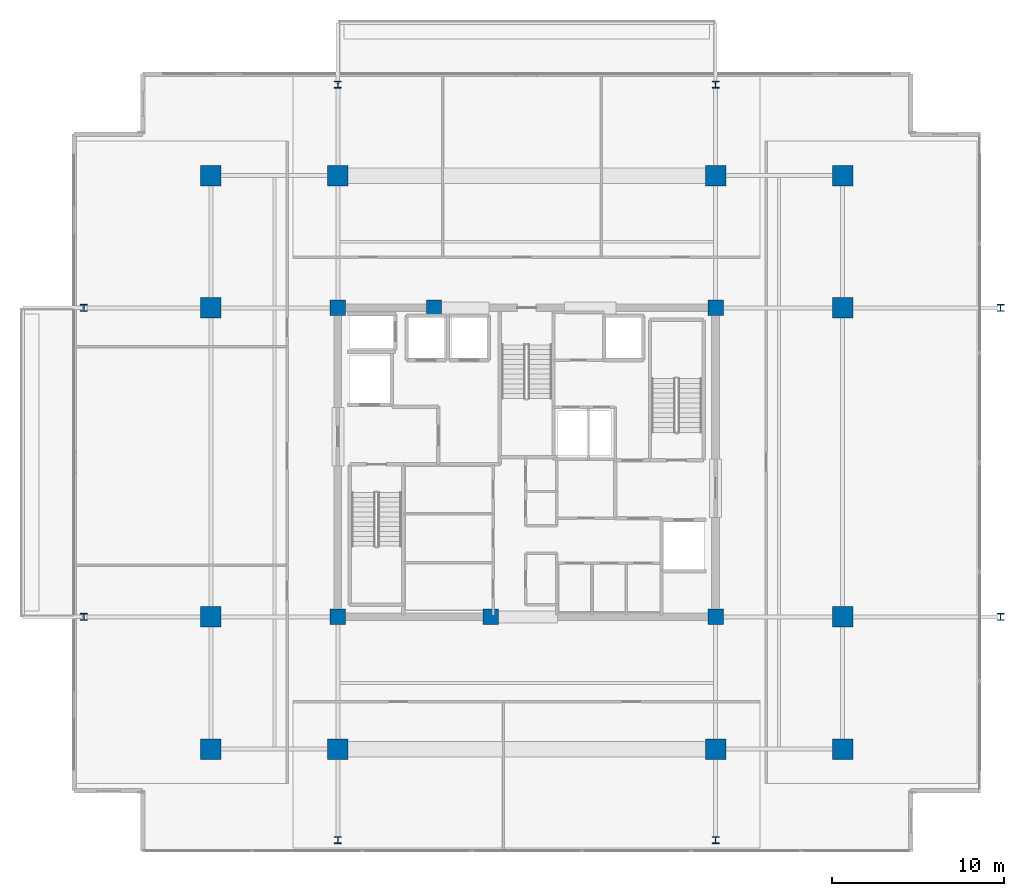
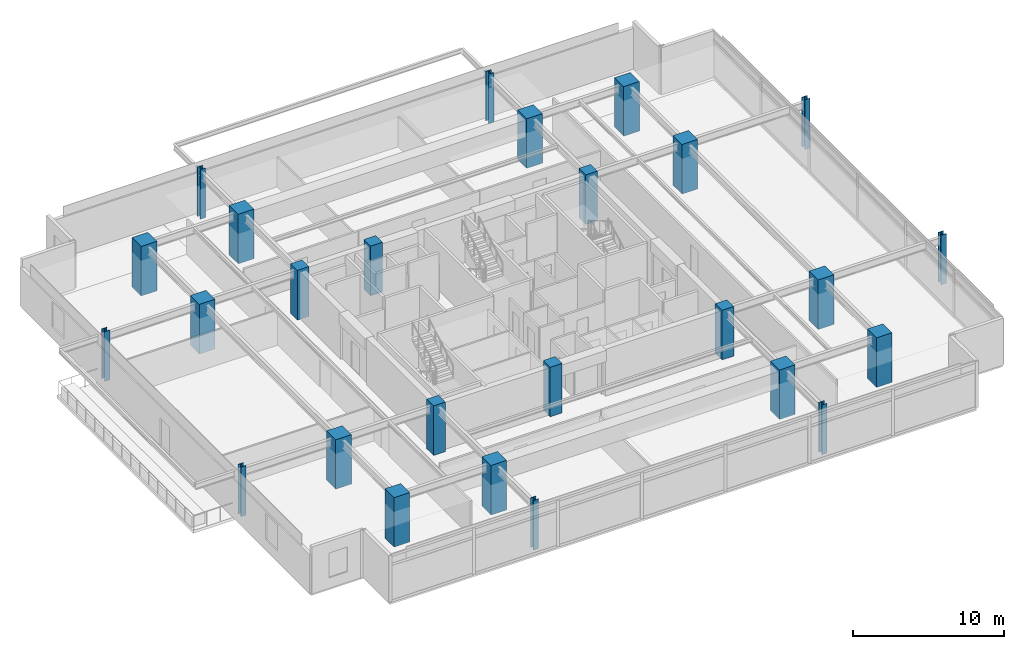
# One storey, part 1 of 21: 26 columns.
"""IFC4 building model written with IfcOpenShell, lengths in metres."""

from ifc_helpers import new_model, si_unit, direction, frame, origin, origin_2d, place, context, subcontext, project, spatial, rectangle, i_section, extrude, material, material_profile, profile_set, type_object, element, save


model = new_model("IFC4")

# Units and contexts
model_context = context("Model", 3, precision=1e-05, world=origin(), true_north=direction((0.0, 1.0)))
body_context = subcontext(model_context, "Body", "Model", "MODEL_VIEW")
ifc_project = project(units=[si_unit("LENGTHUNIT", "METRE"), si_unit("AREAUNIT", "SQUARE_METRE"), si_unit("VOLUMEUNIT", "CUBIC_METRE"), si_unit("PLANEANGLEUNIT", "RADIAN"), si_unit("MASSUNIT", "GRAM", prefix="KILO")], contexts=[model_context])

# Site, building, storey
site_placement = place(None, origin())
site = spatial("IfcSite", under=ifc_project, at=site_placement, CompositionType="ELEMENT")
building_placement = place(site_placement, origin())
building = spatial("IfcBuilding", under=site, at=building_placement, Name="Kovane Verandah Tower", CompositionType="ELEMENT")
storey_placement = place(building_placement, frame((0.0, 0.0, 247.199951171875)))
storey = spatial("IfcBuildingStorey", under=building, at=storey_placement, Name="L57", CompositionType="ELEMENT", Elevation=247.199951171875)

# Columns
ifc_material_1 = material(Name="Concrete C60/75", Category="concrete")
ifc_material_profile_1 = material_profile(ifc_material_1, rectangle(XDim=1.199951171875, YDim=1.199951171875, at=origin_2d()), Name="RC1200x1200")
ifc_profile_set_1 = profile_set([ifc_material_profile_1], Name="Concrete C60/75")
column_type_1 = type_object("IfcColumnType", Name="COL-RC1200", PredefinedType="COLUMN", material=ifc_profile_set_1)
for number, where, z_axis, x_axis, name in (
    (1, (29.0, 10.800048828125, 0.0), (0.0, 0.0, 1.0), (1.0, 0.0, 0.0), "L57 Tower Mega-Column MC-S1"),
    (2, (51.0, 10.800048828125, 0.0), (0.0, 0.0, 1.0), (1.0, 0.0, 0.0), "L57 Tower Mega-Column MC-S2"),
    (3, (29.0, 44.199951171875, 0.0), (0.0, 0.0, 1.0), (1.0, 0.0, 0.0), "L57 Tower Mega-Column MC-N1"),
    (4, (51.0, 44.199951171875, 0.0), (0.0, 0.0, 1.0), (1.0, 0.0, 0.0), "L57 Tower Mega-Column MC-N2"),
    (5, (21.60009765625, 18.5, 0.0), (0.0, 0.0, 1.0), (1.0, 0.0, 0.0), "L57 Tower Mega-Column MC-W1"),
    (6, (21.60009765625, 36.5, 0.0), (0.0, 0.0, 1.0), (1.0, 0.0, 0.0), "L57 Tower Mega-Column MC-W2"),
    (7, (58.39990234375, 18.5, 0.0), (0.0, 0.0, 1.0), (1.0, 0.0, 0.0), "L57 Tower Mega-Column MC-E1"),
    (8, (58.39990234375, 36.5, 0.0), (0.0, 0.0, 1.0), (1.0, 0.0, 0.0), "L57 Tower Mega-Column MC-E2"),
    (9, (21.60009765625, 10.800048828125, 0.0), (0.0, 0.0, 1.0), (1.0, 0.0, 0.0), "L57 Tower Mega-Column MC-SW"),
    (10, (58.39990234375, 10.800048828125, 0.0), (0.0, 0.0, 1.0), (1.0, 0.0, 0.0), "L57 Tower Mega-Column MC-SE"),
    (11, (21.60009765625, 44.199951171875, 0.0), (0.0, 0.0, 1.0), (1.0, 0.0, 0.0), "L57 Tower Mega-Column MC-NW"),
    (12, (58.39990234375, 44.199951171875, 0.0), (0.0, 0.0, 1.0), (1.0, 0.0, 0.0), "L57 Tower Mega-Column MC-NE"),
):
    element("IfcColumn", number, at=place(storey_placement, frame(where, z_axis=z_axis, x_axis=x_axis)), inside=storey, type_object=column_type_1, Name=name, PredefinedType="COLUMN", context=body_context, shape_type="SweptSolid", body=[
        extrude(rectangle(XDim=1.199951171875, YDim=1.199951171875, at=origin_2d()), origin(), (0.0, 0.0, 1.0), 4.0),
    ])
ifc_material_2 = material(Name="Steel S460", Category="steel")
ifc_material_profile_2 = material_profile(ifc_material_2, i_section(OverallWidth=0.403076171875, OverallDepth=0.406494140625, WebThickness=0.026611328125, FlangeThickness=0.04296875, FilletRadius=0.01513671875, at=origin_2d()), Name="UC356x406x340")
ifc_profile_set_2 = profile_set([ifc_material_profile_2], Name="Steel S460")
column_type_2 = type_object("IfcColumnType", Name="COL-UC340", PredefinedType="COLUMN", material=ifc_profile_set_2)
for number, where, z_axis, x_axis, name in (
    (13, (14.199951171875, 18.5, 0.0), (0.0, 0.0, 1.0), (1.0, 0.0, 0.0), "L57 Verandah Perimeter Column VC-W1"),
    (14, (14.199951171875, 36.5, 0.0), (0.0, 0.0, 1.0), (1.0, 0.0, 0.0), "L57 Verandah Perimeter Column VC-W2"),
    (15, (67.60009765625, 18.5, 0.0), (0.0, 0.0, 1.0), (1.0, 0.0, 0.0), "L57 Verandah Perimeter Column VC-E1"),
    (16, (67.60009765625, 36.5, 0.0), (0.0, 0.0, 1.0), (1.0, 0.0, 0.0), "L57 Verandah Perimeter Column VC-E2"),
    (17, (29.0, 5.5, 0.0), (0.0, 0.0, 1.0), (1.0, 0.0, 0.0), "L57 Verandah Perimeter Column VC-S1"),
    (18, (51.0, 5.5, 0.0), (0.0, 0.0, 1.0), (1.0, 0.0, 0.0), "L57 Verandah Perimeter Column VC-S2"),
    (19, (29.0, 49.5, 0.0), (0.0, 0.0, 1.0), (1.0, 0.0, 0.0), "L57 Verandah Perimeter Column VC-N1"),
    (20, (51.0, 49.5, 0.0), (0.0, 0.0, 1.0), (1.0, 0.0, 0.0), "L57 Verandah Perimeter Column VC-N2"),
):
    element("IfcColumn", number, at=place(storey_placement, frame(where, z_axis=z_axis, x_axis=x_axis)), inside=storey, type_object=column_type_2, Name=name, PredefinedType="COLUMN", context=body_context, shape_type="SweptSolid", body=[
        extrude(i_section(OverallWidth=0.403076171875, OverallDepth=0.406494140625, WebThickness=0.026611328125, FlangeThickness=0.04296875, FilletRadius=0.01513671875, at=origin_2d()), origin(), (0.0, 0.0, 1.0), 4.0),
    ])
ifc_material_profile_3 = material_profile(ifc_material_1, rectangle(XDim=0.89990234375, YDim=0.89990234375, at=origin_2d()), Name="RC900x900")
ifc_profile_set_3 = profile_set([ifc_material_profile_3], Name="Concrete C60/75")
column_type_3 = type_object("IfcColumnType", Name="PIL-RC900", PredefinedType="PILASTER", material=ifc_profile_set_3)
for number, where, z_axis, x_axis, name in (
    (21, (29.0, 18.5, 0.0), (0.0, 0.0, 1.0), (1.0, 0.0, 0.0), "L57 Core Pilaster CP-SW"),
    (22, (51.0, 18.5, 0.0), (0.0, 0.0, 1.0), (1.0, 0.0, 0.0), "L57 Core Pilaster CP-SE"),
    (23, (29.0, 36.5, 0.0), (0.0, 0.0, 1.0), (1.0, 0.0, 0.0), "L57 Core Pilaster CP-NW"),
    (24, (51.0, 36.5, 0.0), (0.0, 0.0, 1.0), (1.0, 0.0, 0.0), "L57 Core Pilaster CP-NE"),
    (25, (37.89990234375, 18.5, 0.0), (0.0, 0.0, 1.0), (1.0, 0.0, 0.0), "L57 Core Pilaster CP-S"),
    (26, (34.60009765625, 36.5, 0.0), (0.0, 0.0, 1.0), (1.0, 0.0, 0.0), "L57 Core Pilaster CP-N"),
):
    element("IfcColumn", number, at=place(storey_placement, frame(where, z_axis=z_axis, x_axis=x_axis)), inside=storey, type_object=column_type_3, Name=name, PredefinedType="PILASTER", context=body_context, shape_type="SweptSolid", body=[
        extrude(rectangle(XDim=0.89990234375, YDim=0.89990234375, at=origin_2d()), origin(), (0.0, 0.0, 1.0), 4.0),
    ])

save(model, "model.ifc")
